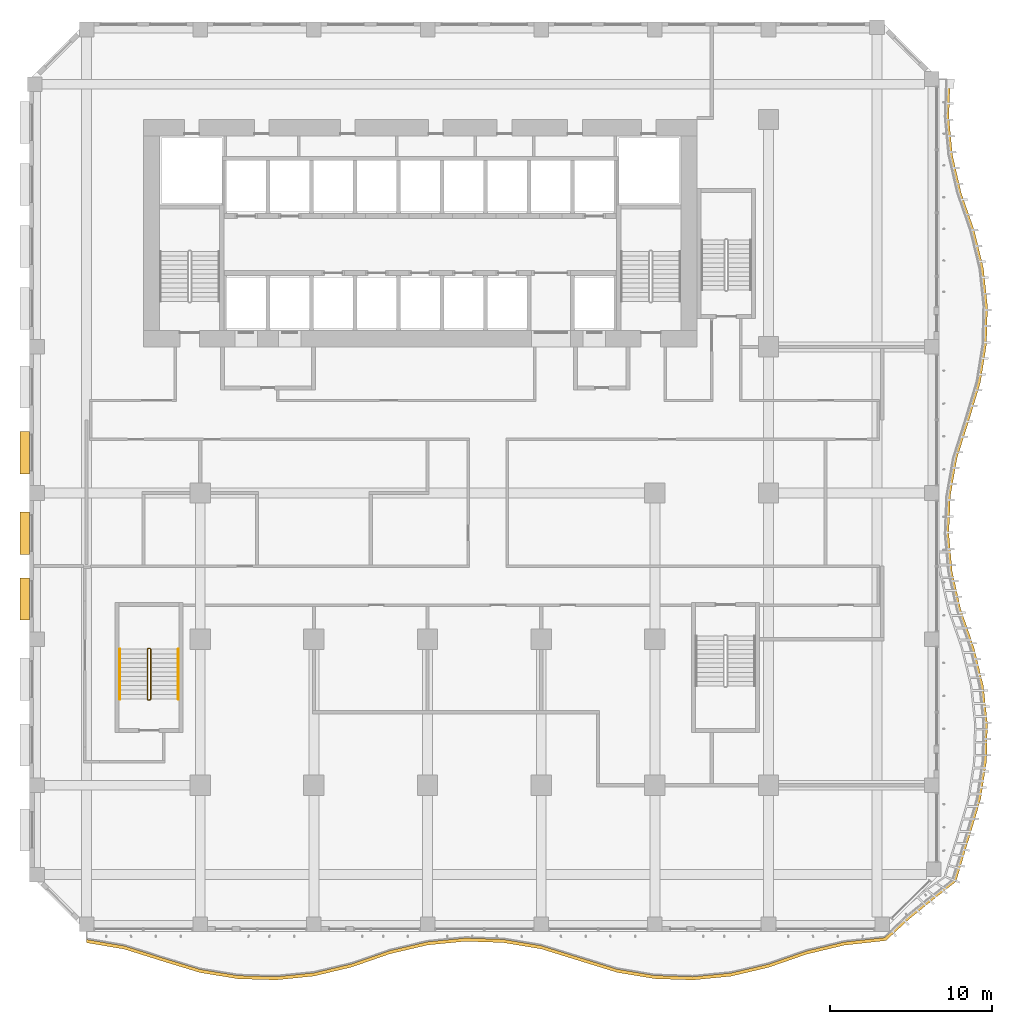
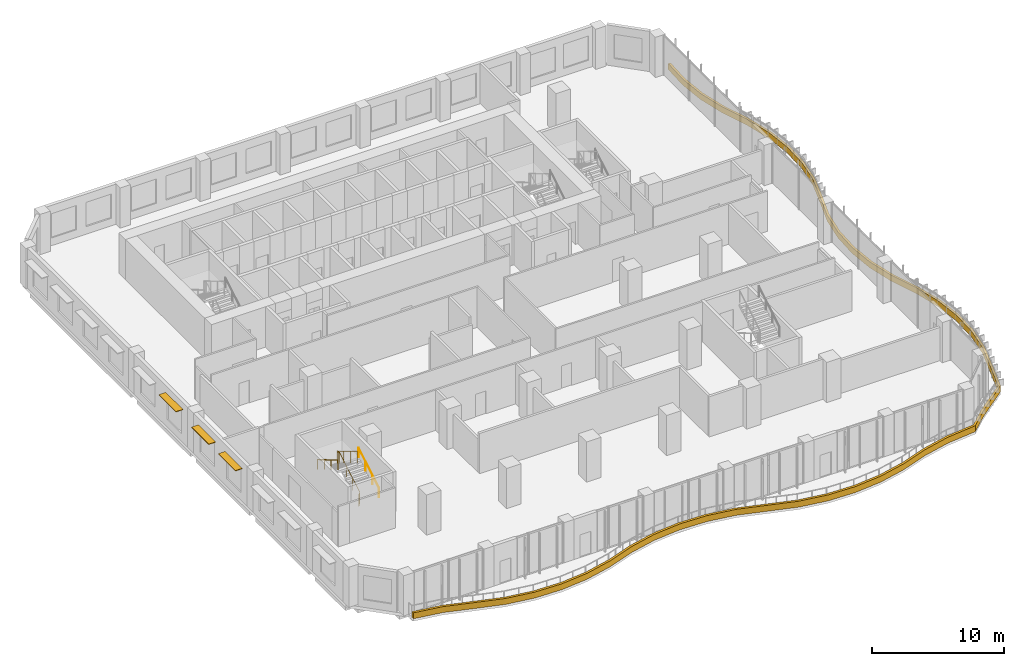
# One storey, part 20 of 27: 4 shading devices, 3 railings.
"""IFC4 building model written with IfcOpenShell, lengths in metres."""

from ifc_helpers import new_model, si_unit, direction, frame, origin, origin_2d, place, context, subcontext, project, spatial, polyline, rectangle, circle, outline, extrude, source, transform, mapped, material, layer, layer_set, type_object, element, save


model = new_model("IFC4")

# Units and contexts
model_context = context("Model", 3, precision=1e-05, world=origin(), true_north=direction((0.0, 1.0)))
body_context = subcontext(model_context, "Body", "Model", "MODEL_VIEW")
ifc_project = project(units=[si_unit("LENGTHUNIT", "METRE"), si_unit("AREAUNIT", "SQUARE_METRE"), si_unit("VOLUMEUNIT", "CUBIC_METRE"), si_unit("PLANEANGLEUNIT", "RADIAN"), si_unit("MASSUNIT", "GRAM", prefix="KILO")], contexts=[model_context])

# Site, building, storey
site_placement = place(None, origin())
site = spatial("IfcSite", under=ifc_project, at=site_placement, CompositionType="ELEMENT")
building_placement = place(site_placement, origin())
building = spatial("IfcBuilding", under=site, at=building_placement, Name="Kilnfold Tower and Market Hall", CompositionType="ELEMENT")
storey_placement = place(building_placement, frame((0.0, 0.0, 71.199951171875)))
storey = spatial("IfcBuildingStorey", under=building, at=storey_placement, Name="L16", CompositionType="ELEMENT", Elevation=71.199951171875)

# Railings
ifc_material_1 = material(Name="Stainless steel 316", Category="steel")
railing_type_1 = type_object("IfcRailingType", Name="CORE STAIR GUARD 1100", PredefinedType="GUARDRAIL", material=ifc_material_1)
railing_1_placement = place(storey_placement, frame((-15.699951171875, -13.75, 0.0)))
element("IfcRailing", 1, at=railing_1_placement, inside=storey, type_object=railing_type_1, Name="L16 ST3 stair guard 1", PredefinedType="GUARDRAIL", context=body_context, shape_type="SweptSolid", body=[
    extrude(circle(Radius=0.02392578125, at=origin_2d()), frame((0.0, 0.0, 1.076171875), z_axis=(1.0, 0.0, 0.0), x_axis=(0.0, 1.0, 0.0)), (0.0, 0.0, 1.0), 0.099853515625),
    extrude(circle(Radius=0.02392578125, at=origin_2d()), frame((0.099853515625, 0.0, 1.076171875), z_axis=(0.27628659633, 0.27628659633, 0.920506074601), x_axis=(-0.707106781187, 0.707106781187, 0.0)), (0.0, 0.0, 1.0), 0.18115234375),
    extrude(circle(Radius=0.02392578125, at=origin_2d()), frame((0.14990234375, 0.050048828125, 1.24267578125), z_axis=(0.0, 0.859290745958, 0.51148745235), x_axis=(-1.0, 0.0, 0.0)), (0.0, 0.0, 1.0), 3.584228515625),
    extrude(circle(Radius=0.02392578125, at=origin_2d()), frame((0.14990234375, 3.1298828125, 3.076171875), z_axis=(-0.707106781187, 0.707106781187, 0.0), x_axis=(-0.707106781187, -0.707106781187, 0.0)), (0.0, 0.0, 1.0), 0.07080078125),
    extrude(circle(Radius=0.02392578125, at=origin_2d()), frame((0.099853515625, 3.179931640625, 3.076171875), z_axis=(-1.0, 0.0, 0.0), x_axis=(0.0, -1.0, 0.0)), (0.0, 0.0, 1.0), 0.099853515625),
    extrude(circle(Radius=0.02392578125, at=origin_2d()), frame((0.0, 3.179931640625, 3.076171875), z_axis=(-0.27628659633, -0.27628659633, 0.920506074601), x_axis=(0.707106781187, -0.707106781187, 0.0)), (0.0, 0.0, 1.0), 0.18115234375),
    extrude(circle(Radius=0.02392578125, at=origin_2d()), frame((-0.050048828125, 3.1298828125, 3.24267578125), z_axis=(0.0, -0.859290745958, 0.51148745235), x_axis=(1.0, 0.0, 0.0)), (0.0, 0.0, 1.0), 3.584228515625),
    extrude(circle(Radius=0.02099609375, at=origin_2d()), origin(), (0.0, 0.0, 1.0), 1.052001953125),
    extrude(circle(Radius=0.02099609375, at=origin_2d()), frame((0.099853515625, 0.0, 0.0)), (0.0, 0.0, 1.0), 1.052001953125),
    extrude(circle(Radius=0.02099609375, at=origin_2d()), frame((0.14990234375, 0.050048828125, 0.166748046875)), (0.0, 0.0, 1.0), 1.052001953125),
    extrude(circle(Radius=0.02099609375, at=origin_2d()), frame((0.14990234375, 1.07666015625, 0.77783203125)), (0.0, 0.0, 1.0), 1.052001953125),
    extrude(circle(Radius=0.02099609375, at=origin_2d()), frame((0.14990234375, 2.103271484375, 1.388916015625)), (0.0, 0.0, 1.0), 1.052001953125),
    extrude(circle(Radius=0.02099609375, at=origin_2d()), frame((0.14990234375, 3.1298828125, 2.0)), (0.0, 0.0, 1.0), 1.052001953125),
    extrude(circle(Radius=0.02099609375, at=origin_2d()), frame((0.099853515625, 3.179931640625, 2.0)), (0.0, 0.0, 1.0), 1.052001953125),
    extrude(circle(Radius=0.02099609375, at=origin_2d()), frame((0.0, 3.179931640625, 2.0)), (0.0, 0.0, 1.0), 1.052001953125),
    extrude(circle(Radius=0.02099609375, at=origin_2d()), frame((-0.050048828125, 3.1298828125, 2.166748046875)), (0.0, 0.0, 1.0), 1.052001953125),
    extrude(circle(Radius=0.02099609375, at=origin_2d()), frame((-0.050048828125, 2.103271484375, 2.77783203125)), (0.0, 0.0, 1.0), 1.052001953125),
    extrude(circle(Radius=0.02099609375, at=origin_2d()), frame((-0.050048828125, 1.07666015625, 3.388916015625)), (0.0, 0.0, 1.0), 1.052001953125),
    extrude(circle(Radius=0.02099609375, at=origin_2d()), frame((-0.050048828125, 0.050048828125, 4.0)), (0.0, 0.0, 1.0), 1.052001953125),
])
ifc_material_2 = material(Name="Stainless steel 316", Category="steel")
railing_type_2 = type_object("IfcRailingType", Name="CORE STAIR HANDRAIL 900", PredefinedType="HANDRAIL", material=ifc_material_2)
railing_2_placement = place(storey_placement, frame((-13.85009765625, -13.699951171875, 0.166748046875)))
element("IfcRailing", 2, at=railing_2_placement, inside=storey, type_object=railing_type_2, Name="L16 ST3 stair handrail 1", PredefinedType="HANDRAIL", context=body_context, shape_type="SweptSolid", body=[
    extrude(circle(Radius=0.02392578125, at=origin_2d()), frame((0.0, 0.0, 0.8759765625), z_axis=(0.0, 0.859290745958, 0.51148745235), x_axis=(-1.0, 0.0, 0.0)), (0.0, 0.0, 1.0), 3.584228515625),
    extrude(circle(Radius=0.02099609375, at=origin_2d()), origin(), (0.0, 0.0, 1.0), 0.851806640625),
    extrude(circle(Radius=0.02099609375, at=origin_2d()), frame((0.0, 1.026611328125, 0.611083984375)), (0.0, 0.0, 1.0), 0.851806640625),
    extrude(circle(Radius=0.02099609375, at=origin_2d()), frame((0.0, 2.05322265625, 1.22216796875)), (0.0, 0.0, 1.0), 0.851806640625),
    extrude(circle(Radius=0.02099609375, at=origin_2d()), frame((0.0, 3.079833984375, 1.833251953125)), (0.0, 0.0, 1.0), 0.851806640625),
])
railing_3_placement = place(storey_placement, frame((-17.449951171875, -10.6201171875, 2.166748046875)))
element("IfcRailing", 3, at=railing_3_placement, inside=storey, type_object=railing_type_2, Name="L16 ST3 stair handrail 2", PredefinedType="HANDRAIL", context=body_context, shape_type="SweptSolid", body=[
    extrude(circle(Radius=0.02392578125, at=origin_2d()), frame((0.0, 0.0, 0.8759765625), z_axis=(0.0, -0.859290745958, 0.51148745235), x_axis=(1.0, 0.0, 0.0)), (0.0, 0.0, 1.0), 3.584228515625),
    extrude(circle(Radius=0.02099609375, at=origin_2d()), origin(), (0.0, 0.0, 1.0), 0.851806640625),
    extrude(circle(Radius=0.02099609375, at=origin_2d()), frame((0.0, -1.026611328125, 0.611083984375)), (0.0, 0.0, 1.0), 0.851806640625),
    extrude(circle(Radius=0.02099609375, at=origin_2d()), frame((0.0, -2.05322265625, 1.22216796875)), (0.0, 0.0, 1.0), 0.851806640625),
    extrude(circle(Radius=0.02099609375, at=origin_2d()), frame((0.0, -3.079833984375, 1.833251953125)), (0.0, 0.0, 1.0), 0.851806640625),
])

# Shading devices
ifc_material_3 = material(Name="Terracotta", Category="masonry")
ifc_layer_1 = layer(ifc_material_3, 0.06005859375)
ifc_layer_set_1 = layer_set([ifc_layer_1], Name="Terracotta")
shading_device_type_1 = type_object("IfcShadingDeviceType", Name="SUNSHADE BLADE 600", PredefinedType="USERDEFINED", material=ifc_layer_set_1)
shared_shape_1 = source(origin(), body_context, "Body", "SweptSolid", [
    extrude(rectangle(XDim=2.60009765625, YDim=0.60009765625, at=origin_2d()), origin(), (0.0, 0.0, 1.0), 0.06005859375),
])
for number, where, z_axis, x_axis, name in (
    (4, (-23.300048828125, 1.47509765625, 3.030029296875), (0.0, 0.0, 1.0), (0.0, -1.0, 0.0), "Sunshade L16 W"),
    (5, (-23.300048828125, -3.47509765625, 3.030029296875), (0.0, 0.0, 1.0), (0.0, -1.0, 0.0), "Sunshade L16 W"),
    (6, (-23.300048828125, -7.52490234375, 3.030029296875), (0.0, 0.0, 1.0), (0.0, -1.0, 0.0), "Sunshade L16 W"),
):
    element("IfcShadingDevice", number, at=place(storey_placement, frame(where, z_axis=z_axis, x_axis=x_axis)), inside=storey, type_object=shading_device_type_1, Name=name, ObjectType="SUNSHADE", PredefinedType="USERDEFINED", context=body_context, shape_type="MappedRepresentation", body=[
        mapped(shared_shape_1, transform((0.0, 0.0, 0.0))),
    ])
ifc_material_4 = material(Name="Precast concrete C50/60", Category="concrete")
ifc_layer_2 = layer(ifc_material_4, 0.550048828125)
ifc_layer_set_2 = layer_set([ifc_layer_2], Name="Precast concrete C50/60")
shading_device_type_2 = type_object("IfcShadingDeviceType", Name="BALCONY UPSTAND 550", PredefinedType="USERDEFINED", material=ifc_layer_set_2)
shared_shape_2 = source(origin(), body_context, "Body", "SweptSolid", [
    extrude(outline(polyline([(-19.5, -28.69482421875), (-17.166748046875, -29.09423828125), (-14.833251953125, -29.8271484375), (-12.5, -30.5390625), (-10.166748046875, -30.919189453125), (-7.833251953125, -30.98876953125), (-5.5, -30.751220703125), (-3.166748046875, -30.194091796875), (-0.833251953125, -29.384033203125), (1.5, -28.8369140625), (3.833251953125, -28.60888671875), (6.166748046875, -28.687744140625), (8.5, -29.077392578125), (10.833251953125, -29.800048828125), (13.166748046875, -30.5224609375), (15.5, -30.912353515625), (17.833251953125, -30.990966796875), (20.166748046875, -30.762939453125), (22.5, -30.216064453125), (24.833251953125, -29.406005859375), (27.166748046875, -28.848876953125), (29.73388671875, -28.564697265625), (31.111328125, -27.27783203125), (32.39892578125, -26.232421875), (34.04296875, -24.931884765625), (34.880615234375, -22.166748046875), (35.5712890625, -19.833251953125), (35.93212890625, -17.5), (35.98291015625, -15.166748046875), (35.726806640625, -12.833251953125), (35.1494140625, -10.5), (34.34130859375, -8.166748046875), (33.814208984375, -5.833251953125), (33.60498046875, -3.5), (33.702392578125, -1.166748046875), (34.111572265625, 1.166748046875), (34.85400390625, 3.5), (35.555419921875, 5.833251953125), (35.92578125, 8.166748046875), (35.986083984375, 10.5), (35.7392578125, 12.833251953125), (35.171875, 15.166748046875), (34.362548828125, 17.5), (33.825439453125, 19.833251953125), (33.60693359375, 22.166748046875), (33.69482421875, 24.5), (33.494873046875, 24.5), (33.406982421875, 22.166748046875), (33.62548828125, 19.833251953125), (34.16259765625, 17.5), (34.971923828125, 15.166748046875), (35.539306640625, 12.833251953125), (35.785888671875, 10.5), (35.725830078125, 8.166748046875), (35.355224609375, 5.833251953125), (34.654052734375, 3.5), (33.91162109375, 1.166748046875), (33.50244140625, -1.166748046875), (33.405029296875, -3.5), (33.6142578125, -5.833251953125), (34.141357421875, -8.166748046875), (34.949462890625, -10.5), (35.52685546875, -12.833251953125), (35.782958984375, -15.166748046875), (35.732177734375, -17.5), (35.371337890625, -19.833251953125), (34.680419921875, -22.166748046875), (33.858154296875, -24.85546875), (32.257568359375, -26.0908203125), (30.969970703125, -27.136474609375), (29.657470703125, -28.3798828125), (27.166748046875, -28.648681640625), (24.833251953125, -29.205810546875), (22.5, -30.01611328125), (20.166748046875, -30.56298828125), (17.833251953125, -30.791015625), (15.5, -30.71240234375), (13.166748046875, -30.322509765625), (10.833251953125, -29.60009765625), (8.5, -28.87744140625), (6.166748046875, -28.48779296875), (3.833251953125, -28.408935546875), (1.5, -28.636962890625), (-0.833251953125, -29.18408203125), (-3.166748046875, -29.994140625), (-5.5, -30.55126953125), (-7.833251953125, -30.788818359375), (-10.166748046875, -30.71923828125), (-12.5, -30.339111328125), (-14.833251953125, -29.627197265625), (-17.166748046875, -28.894287109375), (-19.5, -28.494873046875), (-19.5, -28.69482421875)])), origin(), (0.0, 0.0, 1.0), 0.550048828125),
])
shading_device_placement = place(storey_placement, origin())
element("IfcShadingDevice", 7, at=shading_device_placement, inside=storey, type_object=shading_device_type_2, Name="Balcony fascia L16", ObjectType="FASCIA", PredefinedType="USERDEFINED", context=body_context, shape_type="MappedRepresentation", body=[
    mapped(shared_shape_2, transform((0.0, 0.0, 0.0))),
])

save(model, "model.ifc")
